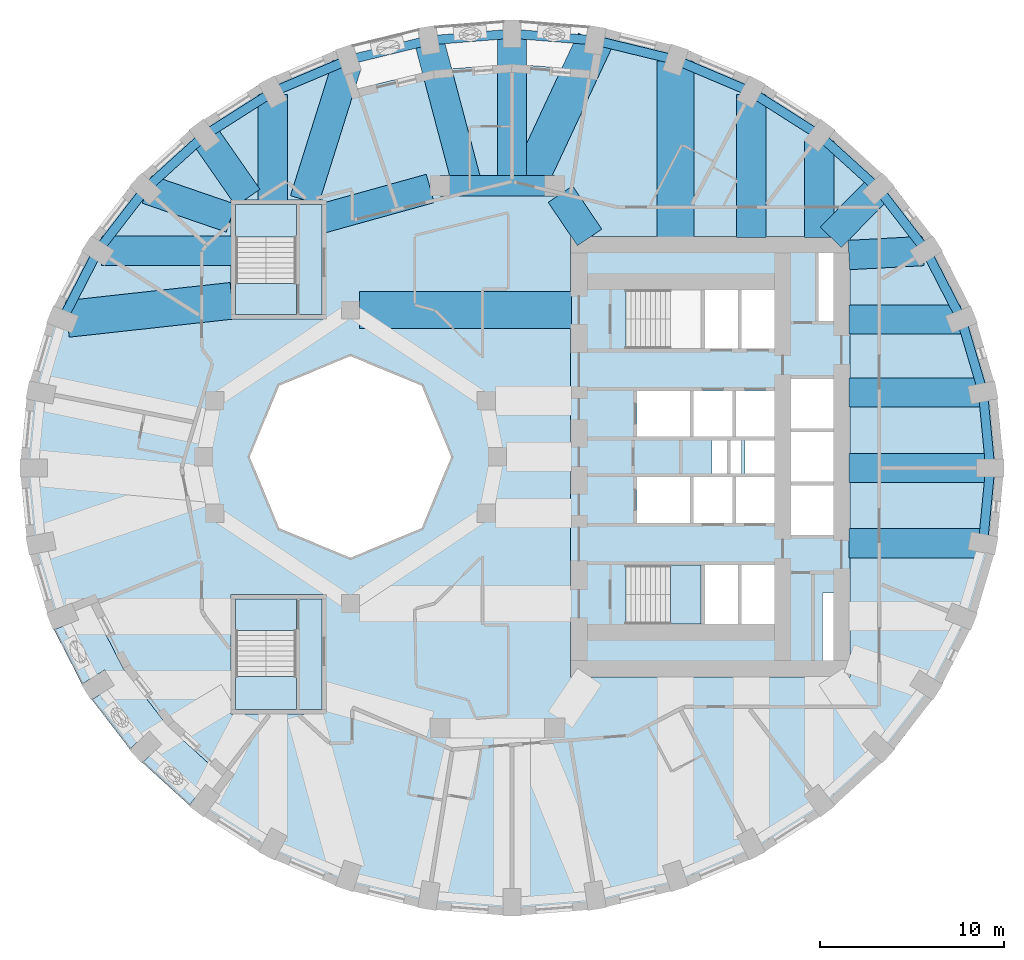
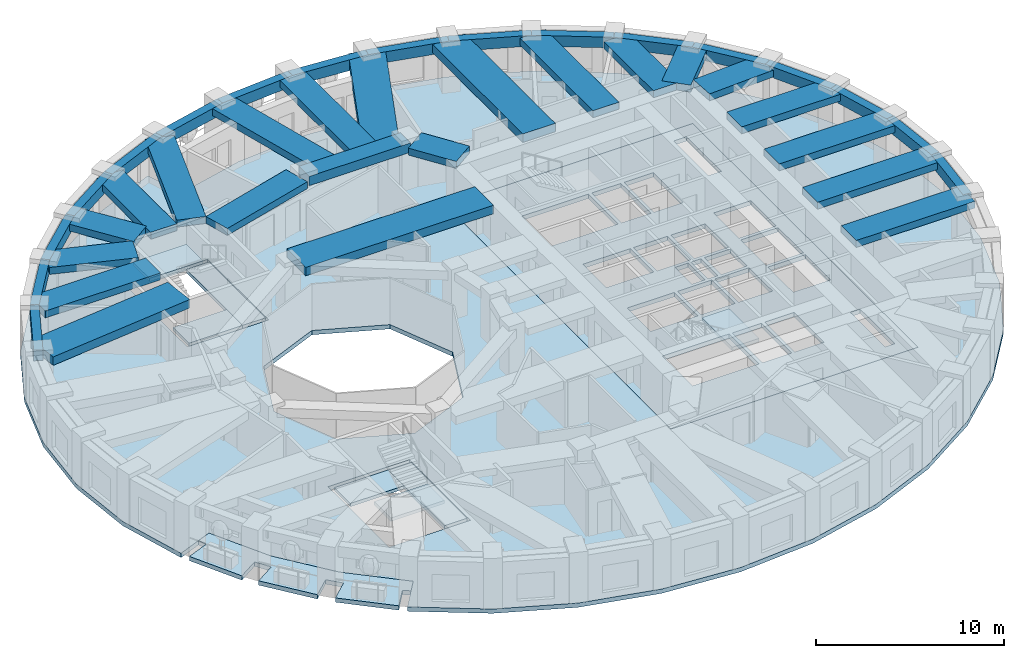
# One storey, part 2 of 12: 39 beams, 10 slabs, 3 elements without a shape of their own.
"""IFC4 building model written with IfcOpenShell, lengths in metres."""

import ifcopenshell
import ifcopenshell.guid

model = None  # the IFC model being written
_history = None  # IfcOwnerHistory: only IFC2X3 demands one
_inside = {}  # id of a spatial element -> (the spatial element, [elements in it])
_under = {}  # id of a project, library or spatial element -> (it, [spatial elements below it])
_declared = {}  # id of a project -> (the project, [libraries it declares])
_typed = {}  # id of a type object -> (the type object, [elements of that type])
_made_of = {}  # id of a material, layer set ... -> (it, [elements and type objects made of it])


def new_model(schema):
    """Start an empty IFC model of exactly this schema.

    Asked for "IFC4X3", IfcOpenShell would pick the latest addendum, in which some entities
    have other attributes; the version numbers below select the first issue.
    IFC2X3 requires an IfcOwnerHistory on every rooted entity: one is made here for all.
    """
    global model, _history
    if schema == "IFC4X3":
        model = ifcopenshell.file(schema_version=(4, 3, 0, 0))
    else:
        model = ifcopenshell.file(schema=schema)
    _inside.clear()
    _under.clear()
    _declared.clear()
    _typed.clear()
    _made_of.clear()
    _history = None
    if model.schema == "IFC2X3":
        org = make("IfcOrganization", Name="unknown")
        user = make(
            "IfcPersonAndOrganization",
            ThePerson=make("IfcPerson", FamilyName="unknown"),
            TheOrganization=org,
        )
        app = make(
            "IfcApplication",
            ApplicationDeveloper=org,
            Version="unknown",
            ApplicationFullName="unknown",
            ApplicationIdentifier="unknown",
        )
        _history = make(
            "IfcOwnerHistory",
            OwningUser=user,
            OwningApplication=app,
            ChangeAction="ADDED",
            CreationDate=0,
        )
    return model


def make(cls, **values):
    """One entity of the class cls with the attributes given. An attribute that is None is left unset."""
    return model.create_entity(
        cls, **{name: value for name, value in values.items() if value is not None}
    )


def rooted(cls, **values):
    """An entity with a GlobalId (a new one), such as an element, a storey or a relation."""
    return make(cls, GlobalId=ifcopenshell.guid.new(), OwnerHistory=_history, **values)


def si_unit(unit_type, name, prefix=None):
    """IfcSIUnit, for example si_unit("LENGTHUNIT", "METRE", prefix="MILLI")."""
    return make("IfcSIUnit", UnitType=unit_type, Prefix=prefix, Name=name)


def assignment(units):
    """IfcUnitAssignment: the units of a project."""
    return None if units is None else make("IfcUnitAssignment", Units=units)


def point(xyz):
    """IfcCartesianPoint."""
    return None if xyz is None else make("IfcCartesianPoint", Coordinates=xyz)


def direction(xyz):
    """IfcDirection."""
    return None if xyz is None else make("IfcDirection", DirectionRatios=xyz)


def frame(location, z_axis=None, x_axis=None):
    """IfcAxis2Placement3D, a coordinate frame: its origin and axes. An axis left out is left unset."""
    return make(
        "IfcAxis2Placement3D",
        Location=point(location),
        Axis=direction(z_axis),
        RefDirection=direction(x_axis),
    )


def frame_2d(location, x_axis=None):
    """IfcAxis2Placement2D, a coordinate frame in the plane: its origin and x axis."""
    return make(
        "IfcAxis2Placement2D", Location=point(location), RefDirection=direction(x_axis)
    )


def origin():
    """The frame at (0, 0, 0) with its axes left unset."""
    return frame((0.0, 0.0, 0.0))


def origin_2d():
    """The frame at (0, 0) in the plane with its x axis left unset."""
    return frame_2d((0.0, 0.0))


def place(relative_to, where):
    """IfcLocalPlacement: puts the frame where relative to a parent placement (None: the world)."""
    return make(
        "IfcLocalPlacement", PlacementRelTo=relative_to, RelativePlacement=where
    )


def context(
    kind, dimensions, precision=None, world=None, true_north=None, identifier=None
):
    """IfcGeometricRepresentationContext, for example the 3D "Model" context."""
    return make(
        "IfcGeometricRepresentationContext",
        ContextIdentifier=identifier,
        ContextType=kind,
        CoordinateSpaceDimension=dimensions,
        Precision=precision,
        WorldCoordinateSystem=world,
        TrueNorth=true_north,
    )


def subcontext(parent, identifier, kind, view, scale=None):
    """IfcGeometricRepresentationSubContext, for example "Body" below "Model"."""
    return make(
        "IfcGeometricRepresentationSubContext",
        ContextIdentifier=identifier,
        ContextType=kind,
        ParentContext=parent,
        TargetScale=scale,
        TargetView=view,
    )


def project(units=None, contexts=None):
    """IfcProject with its units and contexts."""
    return rooted(
        "IfcProject",
        Name="project",
        RepresentationContexts=contexts,
        UnitsInContext=assignment(units),
    )


def spatial(cls, under=None, at=None, **own):
    """A site, building, storey or space (cls), placed at a placement, below another one or the project."""
    s = rooted(cls, ObjectPlacement=at, **own)
    if under is not None:
        _under.setdefault(under.id(), (under, []))[1].append(s)
    return s


def polyline(points):
    """IfcPolyline through the points."""
    return make("IfcPolyline", Points=[point(p) for p in points])


def profile(cls, at=None, kind="AREA", **sizes):
    """A parametric profile (cls). Its sizes go by their IFC names, for example OverallWidth=200.0."""
    return make(cls, ProfileType=kind, Position=at, **sizes)


def rectangle(**sizes):
    """IfcRectangleProfileDef."""
    return profile("IfcRectangleProfileDef", **sizes)


def outline(outer, holes=None, kind="AREA"):
    """IfcArbitraryClosedProfileDef: a profile drawn as a closed curve; with holes, ...WithVoids."""
    if holes is None:
        return make("IfcArbitraryClosedProfileDef", ProfileType=kind, OuterCurve=outer)
    return make(
        "IfcArbitraryProfileDefWithVoids",
        ProfileType=kind,
        OuterCurve=outer,
        InnerCurves=holes,
    )


def extrude(swept, where, along, depth):
    """IfcExtrudedAreaSolid: the profile swept, set in the frame where, extruded along a direction by depth."""
    return make(
        "IfcExtrudedAreaSolid",
        SweptArea=swept,
        Position=where,
        ExtrudedDirection=direction(along),
        Depth=depth,
    )


def shape(context_of_items, identifier, shape_type, items):
    """IfcShapeRepresentation: the items that make up one representation, for example the "Body"."""
    return make(
        "IfcShapeRepresentation",
        ContextOfItems=context_of_items,
        RepresentationIdentifier=identifier,
        RepresentationType=shape_type,
        Items=items,
    )


def material(Name=None, Category=None):
    """IfcMaterial."""
    return make("IfcMaterial", Name=Name, Category=Category)


def layer(
    of_material, thickness, ventilated=None, Name=None, Category=None, Priority=None
):
    """IfcMaterialLayer: one layer of a wall or slab, of a material (None: an air gap)."""
    return make(
        "IfcMaterialLayer",
        Material=of_material,
        LayerThickness=thickness,
        IsVentilated=ventilated,
        Name=Name,
        Category=Category,
        Priority=Priority,
    )


def layer_set(layers, Name=None):
    """IfcMaterialLayerSet."""
    return make("IfcMaterialLayerSet", MaterialLayers=layers, LayerSetName=Name)


def material_profile(
    of_material, cross_section, Name=None, Category=None, Priority=None
):
    """IfcMaterialProfile: a cross section and its material."""
    return make(
        "IfcMaterialProfile",
        Name=Name,
        Material=of_material,
        Profile=cross_section,
        Priority=Priority,
        Category=Category,
    )


def profile_set(profiles, Name=None, composite=None):
    """IfcMaterialProfileSet."""
    return make(
        "IfcMaterialProfileSet",
        Name=Name,
        MaterialProfiles=profiles,
        CompositeProfile=composite,
    )


def made_of(thing, what):
    """Note that an element or type object is made of a material, layer set ...; save() writes the relation."""
    if what is not None:
        _made_of.setdefault(what.id(), (what, []))[1].append(thing)
    return thing


def type_object(cls, material=None, **own):
    """A type object (cls), such as IfcWallType, which elements share."""
    return made_of(rooted(cls, **own), material)


def element(
    cls,
    number,
    at=None,
    inside=None,
    cuts=None,
    type_object=None,
    material=None,
    context=None,
    identifier="Body",
    shape_type=None,
    held_by="IfcProductDefinitionShape",
    body=None,
    shapes=None,
    **own,
):
    """One element of the class cls, such as IfcWall. Its Tag is "e" and its number.

    at: its placement. inside: the storey or other place that contains it. cuts: it is an
    opening in that element (IfcRelVoidsElement). A single representation is given by context,
    identifier, shape_type and body (its items); several are given by shapes. held_by: the class
    of the entity that holds the representations. save() writes the other relations.
    """
    e = rooted(cls, Tag="e%d" % number, ObjectPlacement=at, **own)
    if body is not None:
        shapes = [shape(context, identifier, shape_type, body)]
    if shapes is not None:
        e.Representation = make(held_by, Representations=shapes)
    if inside is not None:
        _inside.setdefault(inside.id(), (inside, []))[1].append(e)
    if cuts is not None:
        rooted(
            "IfcRelVoidsElement", RelatingBuildingElement=cuts, RelatedOpeningElement=e
        )
    if type_object is not None:
        _typed.setdefault(type_object.id(), (type_object, []))[1].append(e)
    return made_of(e, material)


def aggregate(whole, parts):
    """IfcRelAggregates: a whole, such as a stair, and the parts it consists of."""
    return rooted("IfcRelAggregates", RelatingObject=whole, RelatedObjects=parts)


def save(model, path):
    """Write the relations noted so far, then the file.

    IfcRelAggregates (storeys below a building ...), IfcRelContainedInSpatialStructure (elements
    in a storey), IfcRelDefinesByType, IfcRelAssociatesMaterial and IfcRelDeclares: one each for
    every whole, place, type object, material and project.
    """
    for whole, parts in _under.values():
        aggregate(whole, parts)
    for where, things in _inside.values():
        rooted(
            "IfcRelContainedInSpatialStructure",
            RelatedElements=things,
            RelatingStructure=where,
        )
    for kind, things in _typed.values():
        rooted("IfcRelDefinesByType", RelatedObjects=things, RelatingType=kind)
    for what, things in _made_of.values():
        rooted("IfcRelAssociatesMaterial", RelatedObjects=things, RelatingMaterial=what)
    for by, libraries in _declared.values():
        rooted("IfcRelDeclares", RelatingContext=by, RelatedDefinitions=libraries)
    model.write(path)


model = new_model("IFC4")

# Units and contexts
model_context = context("Model", 3, precision=1e-05, world=origin(), true_north=direction((0.0, 1.0)))
body_context = subcontext(model_context, "Body", "Model", "MODEL_VIEW")
ifc_project = project(units=[si_unit("LENGTHUNIT", "METRE"), si_unit("AREAUNIT", "SQUARE_METRE"), si_unit("VOLUMEUNIT", "CUBIC_METRE"), si_unit("PLANEANGLEUNIT", "RADIAN"), si_unit("MASSUNIT", "GRAM", prefix="KILO")], contexts=[model_context])

# Site, building, storey
site_placement = place(None, origin())
site = spatial("IfcSite", under=ifc_project, at=site_placement, CompositionType="ELEMENT")
building_placement = place(site_placement, origin())
building = spatial("IfcBuilding", under=site, at=building_placement, Name="Taillehof Tower", CompositionType="ELEMENT")
storey_placement = place(building_placement, frame((0.0, 0.0, 88.89990234375)))
storey = spatial("IfcBuildingStorey", under=building, at=storey_placement, Name="L24", CompositionType="ELEMENT", Elevation=88.89990234375)

# Beams
ifc_material_1 = material(Name="Concrete C50/60", Category="concrete")
ifc_material_profile_1 = material_profile(ifc_material_1, rectangle(XDim=1.10009765625, YDim=0.60009765625, at=origin_2d()), Name="RC 1100x600")
ifc_profile_set_1 = profile_set([ifc_material_profile_1], Name="Concrete C50/60")
beam_type_1 = type_object("IfcBeamType", Name="Mid-ring beam C50/60 1100x600", PredefinedType="BEAM", material=ifc_profile_set_1)
beam_1_placement = place(storey_placement, frame((3.125732421875, 14.772216796875, 2.72021484375), z_axis=(-1.0, 0.0, 0.0), x_axis=(0.0, -1.0, 0.0)))
element("IfcBeam", 1, at=beam_1_placement, inside=storey, type_object=beam_type_1, Name="Mid-ring beam MB01", PredefinedType="BEAM", context=body_context, shape_type="SweptSolid", body=[
    extrude(rectangle(XDim=1.10009765625, YDim=0.60009765625, at=origin_2d()), origin(), (0.0, 0.0, 1.0), 6.25146484375),
])
ifc_material_2 = material(Name="Concrete C50/60", Category="concrete")
ifc_material_profile_2 = material_profile(ifc_material_2, rectangle(XDim=1.60009765625, YDim=0.449951171875, at=origin_2d()), Name="RC 1600x450")
ifc_profile_set_2 = profile_set([ifc_material_profile_2], Name="Concrete C50/60")
beam_type_2 = type_object("IfcBeamType", Name="Radial band beam C50/60 1600x450", PredefinedType="BEAM", material=ifc_profile_set_2)
beam_2_placement = place(storey_placement, frame((26.85009765625, -0.60009765625, 2.795166015625), z_axis=(-1.0, 0.0, 0.0), x_axis=(0.0, -1.0, 0.0)))
element("IfcBeam", 2, at=beam_2_placement, inside=storey, type_object=beam_type_2, Name="Radial band beam RB01", PredefinedType="BEAM", context=body_context, shape_type="SweptSolid", body=[
    extrude(rectangle(XDim=1.60009765625, YDim=0.449951171875, at=origin_2d()), origin(), (0.0, 0.0, 1.0), 7.7001953125),
])
beam_3_placement = place(storey_placement, frame((26.454345703125, 3.5068359375, 2.795166015625), z_axis=(-1.0, 0.0, 0.0), x_axis=(0.0, -1.0, 0.0)))
element("IfcBeam", 3, at=beam_3_placement, inside=storey, type_object=beam_type_2, Name="Radial band beam RB02", PredefinedType="BEAM", context=body_context, shape_type="SweptSolid", body=[
    extrude(rectangle(XDim=1.60009765625, YDim=0.449951171875, at=origin_2d()), origin(), (0.0, 0.0, 1.0), 7.304443359375),
])
beam_4_placement = place(storey_placement, frame((25.2275390625, 7.48876953125, 2.795166015625), z_axis=(-1.0, 0.0, 0.0), x_axis=(0.0, -1.0, 0.0)))
element("IfcBeam", 4, at=beam_4_placement, inside=storey, type_object=beam_type_2, Name="Radial band beam RB03", PredefinedType="BEAM", context=body_context, shape_type="SweptSolid", body=[
    extrude(rectangle(XDim=1.60009765625, YDim=0.449951171875, at=origin_2d()), origin(), (0.0, 0.0, 1.0), 6.07763671875),
])
beam_5_placement = place(storey_placement, frame((23.197021484375, 11.21630859375, 2.795166015625), z_axis=(-0.998539024739, -0.054035322466, 0.0), x_axis=(0.054035322466, -0.998539024739, 0.0)))
element("IfcBeam", 5, at=beam_5_placement, inside=storey, type_object=beam_type_2, Name="Radial band beam RB04", PredefinedType="BEAM", context=body_context, shape_type="SweptSolid", body=[
    extrude(rectangle(XDim=1.60009765625, YDim=0.449951171875, at=origin_2d()), origin(), (0.0, 0.0, 1.0), 4.052734375),
])
beam_6_placement = place(storey_placement, frame((20.75537109375, 14.60205078125, 2.795166015625), z_axis=(-0.700671998657, -0.713483531903, 0.0), x_axis=(0.713483531903, -0.700671998657, 0.0)))
element("IfcBeam", 6, at=beam_6_placement, inside=storey, type_object=beam_type_2, Name="Radial band beam RB05", PredefinedType="BEAM", context=body_context, shape_type="SweptSolid", body=[
    extrude(rectangle(XDim=1.60009765625, YDim=0.449951171875, at=origin_2d()), origin(), (0.0, 0.0, 1.0), 3.697021484375),
])
beam_7_placement = place(storey_placement, frame((17.544677734375, 17.2216796875, 2.795166015625), z_axis=(0.0, -1.0, 0.0), x_axis=(1.0, 0.0, 0.0)))
element("IfcBeam", 7, at=beam_7_placement, inside=storey, type_object=beam_type_2, Name="Radial band beam RB06", PredefinedType="BEAM", context=body_context, shape_type="SweptSolid", body=[
    extrude(rectangle(XDim=1.60009765625, YDim=0.449951171875, at=origin_2d()), origin(), (0.0, 0.0, 1.0), 5.271728515625),
])
beam_8_placement = place(storey_placement, frame((13.824951171875, 19.744384765625, 2.795166015625), z_axis=(0.0, -1.0, 0.0), x_axis=(1.0, 0.0, 0.0)))
element("IfcBeam", 8, at=beam_8_placement, inside=storey, type_object=beam_type_2, Name="Radial band beam RB07", PredefinedType="BEAM", context=body_context, shape_type="SweptSolid", body=[
    extrude(rectangle(XDim=1.60009765625, YDim=0.449951171875, at=origin_2d()), origin(), (0.0, 0.0, 1.0), 7.79443359375),
])
beam_9_placement = place(storey_placement, frame((0.800048828125, 23.050048828125, 2.795166015625), z_axis=(0.0, -1.0, 0.0), x_axis=(1.0, 0.0, 0.0)))
element("IfcBeam", 9, at=beam_9_placement, inside=storey, type_object=beam_type_2, Name="Radial band beam RB10", PredefinedType="BEAM", context=body_context, shape_type="SweptSolid", body=[
    extrude(rectangle(XDim=1.60009765625, YDim=0.449951171875, at=origin_2d()), origin(), (0.0, 0.0, 1.0), 8.27783203125),
])
beam_10_placement = place(storey_placement, frame((-3.7236328125, 22.690673828125, 2.795166015625), z_axis=(0.256102263642, -0.966649693817, 0.0), x_axis=(0.966649693817, 0.256102263642, 0.0)))
element("IfcBeam", 10, at=beam_10_placement, inside=storey, type_object=beam_type_2, Name="Radial band beam RB11", PredefinedType="BEAM", context=body_context, shape_type="SweptSolid", body=[
    extrude(rectangle(XDim=1.60009765625, YDim=0.449951171875, at=origin_2d()), origin(), (0.0, 0.0, 1.0), 8.191650390625),
])
beam_11_placement = place(storey_placement, frame((-8.189453125, 21.369140625, 2.795166015625), z_axis=(-0.299184997435, -0.954195125386, 0.0), x_axis=(0.954195125386, -0.299184997435, 0.0)))
element("IfcBeam", 11, at=beam_11_placement, inside=storey, type_object=beam_type_2, Name="Radial band beam RB12", PredefinedType="BEAM", context=body_context, shape_type="SweptSolid", body=[
    extrude(rectangle(XDim=1.60009765625, YDim=0.449951171875, at=origin_2d()), origin(), (0.0, 0.0, 1.0), 7.728515625),
])
beam_12_placement = place(storey_placement, frame((-12.22509765625, 19.744384765625, 2.795166015625), z_axis=(0.0, -1.0, 0.0), x_axis=(1.0, 0.0, 0.0)))
element("IfcBeam", 12, at=beam_12_placement, inside=storey, type_object=beam_type_2, Name="Radial band beam RB13", PredefinedType="BEAM", context=body_context, shape_type="SweptSolid", body=[
    extrude(rectangle(XDim=1.60009765625, YDim=0.449951171875, at=origin_2d()), origin(), (0.0, 0.0, 1.0), 5.79443359375),
])
beam_13_placement = place(storey_placement, frame((-15.944580078125, 17.516845703125, 2.795166015625), z_axis=(0.570763290366, -0.821114648737, 0.0), x_axis=(0.821114648737, 0.570763290366, 0.0)))
element("IfcBeam", 13, at=beam_13_placement, inside=storey, type_object=beam_type_2, Name="Radial band beam RB14", PredefinedType="BEAM", context=body_context, shape_type="SweptSolid", body=[
    extrude(rectangle(XDim=1.60009765625, YDim=0.449951171875, at=origin_2d()), origin(), (0.0, 0.0, 1.0), 4.1328125),
])
beam_14_placement = place(storey_placement, frame((-19.080810546875, 14.576171875, 2.795166015625), z_axis=(0.945583195076, -0.325380425334, 0.0), x_axis=(0.325380425334, 0.945583195076, 0.0)))
element("IfcBeam", 14, at=beam_14_placement, inside=storey, type_object=beam_type_2, Name="Radial band beam RB15", PredefinedType="BEAM", context=body_context, shape_type="SweptSolid", body=[
    extrude(rectangle(XDim=1.60009765625, YDim=0.449951171875, at=origin_2d()), origin(), (0.0, 0.0, 1.0), 4.83349609375),
])
beam_15_placement = place(storey_placement, frame((-21.54736328125, 11.22509765625, 2.795166015625), z_axis=(1.0, 0.0, 0.0), x_axis=(0.0, 1.0, 0.0)))
element("IfcBeam", 15, at=beam_15_placement, inside=storey, type_object=beam_type_2, Name="Radial band beam RB16", PredefinedType="BEAM", context=body_context, shape_type="SweptSolid", body=[
    extrude(rectangle(XDim=1.60009765625, YDim=0.449951171875, at=origin_2d()), origin(), (0.0, 0.0, 1.0), 7.097412109375),
])
beam_16_placement = place(storey_placement, frame((26.454345703125, -4.706787109375, 2.795166015625), z_axis=(-1.0, 0.0, 0.0), x_axis=(0.0, -1.0, 0.0)))
element("IfcBeam", 16, at=beam_16_placement, inside=storey, type_object=beam_type_2, Name="Radial band beam RB36", PredefinedType="BEAM", context=body_context, shape_type="SweptSolid", body=[
    extrude(rectangle(XDim=1.60009765625, YDim=0.449951171875, at=origin_2d()), origin(), (0.0, 0.0, 1.0), 7.304443359375),
])
beam_17_placement = place(storey_placement, frame((3.433837890625, 14.31640625, 2.795166015625), z_axis=(0.560112043398, -0.828416862962, 0.0), x_axis=(0.828416862962, 0.560112043398, 0.0)))
element("IfcBeam", 17, at=beam_17_placement, inside=storey, type_object=beam_type_2, Name="Inner band beam IB205", PredefinedType="BEAM", context=body_context, shape_type="SweptSolid", body=[
    extrude(rectangle(XDim=1.60009765625, YDim=0.449951171875, at=origin_2d()), origin(), (0.0, 0.0, 1.0), 2.84619140625),
])
beam_18_placement = place(storey_placement, frame((-3.655517578125, 14.624755859375, 2.795166015625), z_axis=(-0.963459369536, -0.267854518821, 0.0), x_axis=(0.267854518821, -0.963459369536, 0.0)))
element("IfcBeam", 18, at=beam_18_placement, inside=storey, type_object=beam_type_2, Name="Inner band beam IB206", PredefinedType="BEAM", context=body_context, shape_type="SweptSolid", body=[
    extrude(rectangle(XDim=1.60009765625, YDim=0.449951171875, at=origin_2d()), origin(), (0.0, 0.0, 1.0), 6.096923828125),
])
ifc_material_3 = material(Name="Concrete C50/60", Category="concrete")
ifc_material_profile_3 = material_profile(ifc_material_3, rectangle(XDim=2.0, YDim=0.550048828125, at=origin_2d()), Name="RC 2000x550")
ifc_profile_set_3 = profile_set([ifc_material_profile_3], Name="Concrete C50/60")
beam_type_3 = type_object("IfcBeamType", Name="Radial band beam C50/60 2000x550", PredefinedType="BEAM", material=ifc_profile_set_3)
beam_19_placement = place(storey_placement, frame((9.709716796875, 21.556640625, 2.7451171875), z_axis=(0.0, -1.0, 0.0), x_axis=(1.0, 0.0, 0.0)))
element("IfcBeam", 19, at=beam_19_placement, inside=storey, type_object=beam_type_3, Name="Radial band beam RB08", PredefinedType="BEAM", context=body_context, shape_type="SweptSolid", body=[
    extrude(rectangle(XDim=2.0, YDim=0.550048828125, at=origin_2d()), origin(), (0.0, 0.0, 1.0), 9.606689453125),
])
beam_20_placement = place(storey_placement, frame((5.312744140625, 22.66748046875, 2.7451171875), z_axis=(-0.423126261145, -0.90607072965, 0.0), x_axis=(0.90607072965, -0.423126261145, 0.0)))
element("IfcBeam", 20, at=beam_20_placement, inside=storey, type_object=beam_type_3, Name="Radial band beam RB09", PredefinedType="BEAM", context=body_context, shape_type="SweptSolid", body=[
    extrude(rectangle(XDim=2.0, YDim=0.550048828125, at=origin_2d()), origin(), (0.0, 0.0, 1.0), 8.713623046875),
])
beam_21_placement = place(storey_placement, frame((-23.42919921875, 7.516357421875, 2.7451171875), z_axis=(0.993988424713, 0.109485211499, 0.0), x_axis=(-0.109485211499, 0.993988424713, 0.0)))
element("IfcBeam", 21, at=beam_21_placement, inside=storey, type_object=beam_type_3, Name="Radial band beam RB17", PredefinedType="BEAM", context=body_context, shape_type="SweptSolid", body=[
    extrude(rectangle(XDim=2.0, YDim=0.550048828125, at=origin_2d()), origin(), (0.0, 0.0, 1.0), 9.033203125),
])
beam_22_placement = place(storey_placement, frame((-7.5, 8.0, 2.7451171875), z_axis=(1.0, 0.0, 0.0), x_axis=(0.0, 1.0, 0.0)))
element("IfcBeam", 22, at=beam_22_placement, inside=storey, type_object=beam_type_3, Name="Inner band beam IB105", PredefinedType="BEAM", context=body_context, shape_type="SweptSolid", body=[
    extrude(rectangle(XDim=2.0, YDim=0.550048828125, at=origin_2d()), origin(), (0.0, 0.0, 1.0), 11.550048828125),
])
ifc_material_4 = material(Name="Concrete C50/60", Category="concrete")
ifc_material_profile_4 = material_profile(ifc_material_4, rectangle(XDim=0.5, YDim=0.699951171875, at=origin_2d()), Name="RC 500x700")
ifc_profile_set_4 = profile_set([ifc_material_profile_4], Name="Concrete C50/60")
beam_type_4 = type_object("IfcBeamType", Name="Spandrel beam C50/60 500x700", PredefinedType="SPANDREL", material=ifc_profile_set_4)
beam_23_placement = place(storey_placement, frame((26.85009765625, -0.60009765625, 2.670166015625), z_axis=(-0.095917608943, 0.995389276763, 0.0), x_axis=(-0.995389276763, -0.095917608943, 0.0)))
element("IfcBeam", 23, at=beam_23_placement, inside=storey, type_object=beam_type_4, Name="Spandrel beam SB01", PredefinedType="SPANDREL", context=body_context, shape_type="SweptSolid", body=[
    extrude(rectangle(XDim=0.5, YDim=0.699951171875, at=origin_2d()), origin(), (0.0, 0.0, 1.0), 4.1259765625),
])
beam_24_placement = place(storey_placement, frame((26.454345703125, 3.5068359375, 2.670166015625), z_axis=(-0.28308309012, 0.95909538842, 0.0), x_axis=(-0.95909538842, -0.28308309012, 0.0)))
element("IfcBeam", 24, at=beam_24_placement, inside=storey, type_object=beam_type_4, Name="Spandrel beam SB02", PredefinedType="SPANDREL", context=body_context, shape_type="SweptSolid", body=[
    extrude(rectangle(XDim=0.5, YDim=0.699951171875, at=origin_2d()), origin(), (0.0, 0.0, 1.0), 4.15185546875),
])
beam_25_placement = place(storey_placement, frame((25.279052734375, 7.48876953125, 2.670166015625), z_axis=(-0.456905372708, 0.88951530644, 0.0), x_axis=(-0.88951530644, -0.456905372708, 0.0)))
element("IfcBeam", 25, at=beam_25_placement, inside=storey, type_object=beam_type_4, Name="Spandrel beam SB03", PredefinedType="SPANDREL", context=body_context, shape_type="SweptSolid", body=[
    extrude(rectangle(XDim=0.5, YDim=0.699951171875, at=origin_2d()), origin(), (0.0, 0.0, 1.0), 4.200439453125),
])
beam_26_placement = place(storey_placement, frame((23.35986328125, 11.22509765625, 2.670166015625), z_axis=(-0.61071731561, 0.79184869793, 0.0), x_axis=(-0.79184869793, -0.61071731561, 0.0)))
element("IfcBeam", 26, at=beam_26_placement, inside=storey, type_object=beam_type_4, Name="Spandrel beam SB04", PredefinedType="SPANDREL", context=body_context, shape_type="SweptSolid", body=[
    extrude(rectangle(XDim=0.5, YDim=0.699951171875, at=origin_2d()), origin(), (0.0, 0.0, 1.0), 4.2646484375),
])
beam_27_placement = place(storey_placement, frame((20.75537109375, 14.60205078125, 2.670166015625), z_axis=(-0.740400998917, 0.672165426665, 0.0), x_axis=(-0.672165426665, -0.740400998917, 0.0)))
element("IfcBeam", 27, at=beam_27_placement, inside=storey, type_object=beam_type_4, Name="Spandrel beam SB05", PredefinedType="SPANDREL", context=body_context, shape_type="SweptSolid", body=[
    extrude(rectangle(XDim=0.5, YDim=0.699951171875, at=origin_2d()), origin(), (0.0, 0.0, 1.0), 4.33642578125),
])
beam_28_placement = place(storey_placement, frame((17.544677734375, 17.516845703125, 2.670166015625), z_axis=(-0.843903157847, 0.536495536027, 0.0), x_axis=(-0.536495536027, -0.843903157847, 0.0)))
element("IfcBeam", 28, at=beam_28_placement, inside=storey, type_object=beam_type_4, Name="Spandrel beam SB06", PredefinedType="SPANDREL", context=body_context, shape_type="SweptSolid", body=[
    extrude(rectangle(XDim=0.5, YDim=0.699951171875, at=origin_2d()), origin(), (0.0, 0.0, 1.0), 4.40771484375),
])
beam_29_placement = place(storey_placement, frame((13.824951171875, 19.881591796875, 2.670166015625), z_axis=(-0.920876744153, 0.389853847074, 0.0), x_axis=(-0.389853847074, -0.920876744153, 0.0)))
element("IfcBeam", 29, at=beam_29_placement, inside=storey, type_object=beam_type_4, Name="Spandrel beam SB07", PredefinedType="SPANDREL", context=body_context, shape_type="SweptSolid", body=[
    extrude(rectangle(XDim=0.5, YDim=0.699951171875, at=origin_2d()), origin(), (0.0, 0.0, 1.0), 4.46875),
])
beam_30_placement = place(storey_placement, frame((9.709716796875, 21.623779296875, 2.670166015625), z_axis=(-0.971668945916, 0.23634605887, 0.0), x_axis=(-0.23634605887, -0.971668945916, 0.0)))
element("IfcBeam", 30, at=beam_30_placement, inside=storey, type_object=beam_type_4, Name="Spandrel beam SB08", PredefinedType="SPANDREL", context=body_context, shape_type="SweptSolid", body=[
    extrude(rectangle(XDim=0.5, YDim=0.699951171875, at=origin_2d()), origin(), (0.0, 0.0, 1.0), 4.51416015625),
])
beam_31_placement = place(storey_placement, frame((5.323486328125, 22.690673828125, 2.670166015625), z_axis=(-0.996858923208, 0.079197772828, 0.0), x_axis=(-0.079197772828, -0.996858923208, 0.0)))
element("IfcBeam", 31, at=beam_31_placement, inside=storey, type_object=beam_type_4, Name="Spandrel beam SB09", PredefinedType="SPANDREL", context=body_context, shape_type="SweptSolid", body=[
    extrude(rectangle(XDim=0.5, YDim=0.699951171875, at=origin_2d()), origin(), (0.0, 0.0, 1.0), 4.53759765625),
])
beam_32_placement = place(storey_placement, frame((0.800048828125, 23.050048828125, 2.670166015625), z_axis=(-0.996859260648, -0.079193525375, 0.0), x_axis=(0.079193525375, -0.996859260648, 0.0)))
element("IfcBeam", 32, at=beam_32_placement, inside=storey, type_object=beam_type_4, Name="Spandrel beam SB10", PredefinedType="SPANDREL", context=body_context, shape_type="SweptSolid", body=[
    extrude(rectangle(XDim=0.5, YDim=0.699951171875, at=origin_2d()), origin(), (0.0, 0.0, 1.0), 4.537841796875),
])
beam_33_placement = place(storey_placement, frame((-3.7236328125, 22.690673828125, 2.670166015625), z_axis=(-0.971665924588, -0.236358479847, 0.0), x_axis=(0.236358479847, -0.971665924588, 0.0)))
element("IfcBeam", 33, at=beam_33_placement, inside=storey, type_object=beam_type_4, Name="Spandrel beam SB11", PredefinedType="SPANDREL", context=body_context, shape_type="SweptSolid", body=[
    extrude(rectangle(XDim=0.5, YDim=0.699951171875, at=origin_2d()), origin(), (0.0, 0.0, 1.0), 4.513916015625),
])
beam_34_placement = place(storey_placement, frame((-8.109619140625, 21.623779296875, 2.670166015625), z_axis=(-0.920885046825, -0.389834234688, 0.0), x_axis=(0.389834234688, -0.920885046825, 0.0)))
element("IfcBeam", 34, at=beam_34_placement, inside=storey, type_object=beam_type_4, Name="Spandrel beam SB12", PredefinedType="SPANDREL", context=body_context, shape_type="SweptSolid", body=[
    extrude(rectangle(XDim=0.5, YDim=0.699951171875, at=origin_2d()), origin(), (0.0, 0.0, 1.0), 4.468994140625),
])
beam_35_placement = place(storey_placement, frame((-12.22509765625, 19.881591796875, 2.670166015625), z_axis=(-0.843887214322, -0.536520614239, 0.0), x_axis=(0.536520614239, -0.843887214322, 0.0)))
element("IfcBeam", 35, at=beam_35_placement, inside=storey, type_object=beam_type_4, Name="Spandrel beam SB13", PredefinedType="SPANDREL", context=body_context, shape_type="SweptSolid", body=[
    extrude(rectangle(XDim=0.5, YDim=0.699951171875, at=origin_2d()), origin(), (0.0, 0.0, 1.0), 4.407470703125),
])
beam_36_placement = place(storey_placement, frame((-15.944580078125, 17.516845703125, 2.670166015625), z_axis=(-0.740426434014, -0.672137408432, 0.0), x_axis=(0.672137408432, -0.740426434014, 0.0)))
element("IfcBeam", 36, at=beam_36_placement, inside=storey, type_object=beam_type_4, Name="Spandrel beam SB14", PredefinedType="SPANDREL", context=body_context, shape_type="SweptSolid", body=[
    extrude(rectangle(XDim=0.5, YDim=0.699951171875, at=origin_2d()), origin(), (0.0, 0.0, 1.0), 4.336669921875),
])
beam_37_placement = place(storey_placement, frame((-19.155517578125, 14.60205078125, 2.670166015625), z_axis=(-0.61071731561, -0.79184869793, 0.0), x_axis=(0.79184869793, -0.61071731561, 0.0)))
element("IfcBeam", 37, at=beam_37_placement, inside=storey, type_object=beam_type_4, Name="Spandrel beam SB15", PredefinedType="SPANDREL", context=body_context, shape_type="SweptSolid", body=[
    extrude(rectangle(XDim=0.5, YDim=0.699951171875, at=origin_2d()), origin(), (0.0, 0.0, 1.0), 4.2646484375),
])
beam_38_placement = place(storey_placement, frame((-21.760009765625, 11.22509765625, 2.670166015625), z_axis=(-0.456859381733, -0.889538928503, 0.0), x_axis=(0.889538928503, -0.456859381733, 0.0)))
element("IfcBeam", 38, at=beam_38_placement, inside=storey, type_object=beam_type_4, Name="Spandrel beam SB16", PredefinedType="SPANDREL", context=body_context, shape_type="SweptSolid", body=[
    extrude(rectangle(XDim=0.5, YDim=0.699951171875, at=origin_2d()), origin(), (0.0, 0.0, 1.0), 4.2001953125),
])
beam_39_placement = place(storey_placement, frame((26.454345703125, -4.706787109375, 2.670166015625), z_axis=(0.09592325873, 0.995388732323, 0.0), x_axis=(-0.995388732323, 0.09592325873, 0.0)))
element("IfcBeam", 39, at=beam_39_placement, inside=storey, type_object=beam_type_4, Name="Spandrel beam SB36", PredefinedType="SPANDREL", context=body_context, shape_type="SweptSolid", body=[
    extrude(rectangle(XDim=0.5, YDim=0.699951171875, at=origin_2d()), origin(), (0.0, 0.0, 1.0), 4.125732421875),
])

# Slabs
ifc_material_5 = material(Name="Concrete C40/50", Category="concrete")
ifc_layer_1 = layer(ifc_material_5, 0.280029296875)
ifc_layer_set_1 = layer_set([ifc_layer_1], Name="Balcony slab 280")
slab_type_1 = type_object("IfcSlabType", Name="Balcony slab 280", PredefinedType="USERDEFINED", material=ifc_layer_set_1)
slab_1_placement = place(storey_placement, frame((0.0, 0.0, -0.27978515625)))
element("IfcSlab", 40, at=slab_1_placement, inside=storey, type_object=slab_type_1, Name="Balcony L24 pocket 6", ObjectType="BALCONY", PredefinedType="USERDEFINED", context=body_context, shape_type="SweptSolid", body=[
    extrude(outline(polyline([(-14.9697265625, -17.38427734375), (-15.5166015625, -18.10009765625), (-15.88671875, -17.8173828125), (-16.7724609375, -18.976806640625), (-19.3330078125, -16.6455078125), (-18.26513671875, -15.661376953125), (-18.94287109375, -14.926025390625), (-20.0146484375, -15.913818359375), (-22.084228515625, -13.22265625), (-20.85888671875, -12.445556640625), (-21.394287109375, -11.60107421875), (-22.6240234375, -12.380859375), (-24.14404296875, -9.4130859375), (-22.796875, -8.874755859375), (-22.9912109375, -8.388671875), (-22.1552734375, -8.054443359375), (-20.382568359375, -11.5146484375), (-17.965087890625, -14.657470703125), (-14.9697265625, -17.38427734375)])), origin(), (0.0, 0.0, 1.0), 0.27978515625),
])
ifc_material_6 = material(Name="Concrete C40/50", Category="concrete")
ifc_layer_2 = layer(ifc_material_6, 0.280029296875)
ifc_layer_set_2 = layer_set([ifc_layer_2], Name="Core floor slab C40/50 280")
slab_type_2 = type_object("IfcSlabType", Name="Core floor slab C40/50 280", PredefinedType="FLOOR", material=ifc_layer_set_2)
slab_2_placement = place(storey_placement, frame((0.0, 0.0, -0.27978515625)))
element("IfcSlab", 41, at=slab_2_placement, inside=storey, type_object=slab_type_2, Name="Core floor L24", PredefinedType="FLOOR", context=body_context, shape_type="SweptSolid", body=[
    extrude(outline(polyline([(4.0, -12.0), (4.0, 12.0), (19.199951171875, 12.0), (19.199951171875, -12.0), (4.0, -12.0)]), holes=[polyline([(7.00048828125, -9.10009765625), (11.10009765625, -9.10009765625), (11.10009765625, -5.89990234375), (7.00048828125, -5.89990234375), (7.00048828125, -9.10009765625)]), polyline([(13.10009765625, -9.10009765625), (13.10009765625, -5.89990234375), (11.300048828125, -5.89990234375), (11.300048828125, -9.10009765625), (13.10009765625, -9.10009765625)]), polyline([(10.5, -3.60009765625), (10.5, -1.10009765625), (7.60009765625, -1.10009765625), (7.60009765625, -3.60009765625), (10.5, -3.60009765625)]), polyline([(10.699951171875, -3.60009765625), (12.800048828125, -3.60009765625), (12.800048828125, -1.10009765625), (10.699951171875, -1.10009765625), (10.699951171875, -3.60009765625)]), polyline([(11.699951171875, -0.89990234375), (12.5, -0.89990234375), (12.5, 0.89990234375), (11.699951171875, 0.89990234375), (11.699951171875, -0.89990234375)]), polyline([(13.300048828125, -0.89990234375), (13.300048828125, 0.89990234375), (12.699951171875, 0.89990234375), (12.699951171875, -0.89990234375), (13.300048828125, -0.89990234375)]), polyline([(10.5, 1.10009765625), (10.5, 3.60009765625), (7.60009765625, 3.60009765625), (7.60009765625, 1.10009765625), (10.5, 1.10009765625)]), polyline([(12.800048828125, 1.10009765625), (12.800048828125, 3.60009765625), (10.699951171875, 3.60009765625), (10.699951171875, 1.10009765625), (12.800048828125, 1.10009765625)]), polyline([(11.300048828125, 5.89990234375), (13.10009765625, 5.89990234375), (13.10009765625, 9.10009765625), (11.300048828125, 9.10009765625), (11.300048828125, 5.89990234375)]), polyline([(7.00048828125, 5.89990234375), (11.10009765625, 5.89990234375), (11.10009765625, 9.10009765625), (7.00048828125, 9.10009765625), (7.00048828125, 5.89990234375)]), polyline([(18.300048828125, -11.10009765625), (18.300048828125, -7.39990234375), (17.699951171875, -7.39990234375), (17.699951171875, -11.10009765625), (18.300048828125, -11.10009765625)]), polyline([(15.10009765625, -9.10009765625), (15.10009765625, -5.89990234375), (13.300048828125, -5.89990234375), (13.300048828125, -9.10009765625), (15.10009765625, -9.10009765625)]), polyline([(18.300048828125, -4.25), (18.300048828125, -1.550048828125), (16.0, -1.550048828125), (16.0, -4.25), (18.300048828125, -4.25)]), polyline([(13.0, -3.60009765625), (15.10009765625, -3.60009765625), (15.10009765625, -1.10009765625), (13.0, -1.10009765625), (13.0, -3.60009765625)]), polyline([(13.5, -0.89990234375), (15.10009765625, -0.89990234375), (15.10009765625, 0.89990234375), (13.5, 0.89990234375), (13.5, -0.89990234375)]), polyline([(18.300048828125, -1.35009765625), (18.300048828125, 1.35009765625), (16.0, 1.35009765625), (16.0, -1.35009765625), (18.300048828125, -1.35009765625)]), polyline([(15.10009765625, 1.10009765625), (15.10009765625, 3.60009765625), (13.0, 3.60009765625), (13.0, 1.10009765625), (15.10009765625, 1.10009765625)]), polyline([(18.300048828125, 1.550048828125), (18.300048828125, 4.25), (16.0, 4.25), (16.0, 1.550048828125), (18.300048828125, 1.550048828125)]), polyline([(13.300048828125, 5.89990234375), (15.10009765625, 5.89990234375), (15.10009765625, 9.10009765625), (13.300048828125, 9.10009765625), (13.300048828125, 5.89990234375)]), polyline([(17.5, 7.39990234375), (18.300048828125, 7.39990234375), (18.300048828125, 11.10009765625), (17.5, 11.10009765625), (17.5, 7.39990234375)])]), origin(), (0.0, 0.0, 1.0), 0.27978515625),
])
ifc_material_7 = material(Name="Concrete C40/50", Category="concrete")
ifc_layer_3 = layer(ifc_material_7, 0.280029296875)
ifc_layer_set_3 = layer_set([ifc_layer_3], Name="Floor slab 280")
slab_type_3 = type_object("IfcSlabType", Name="Floor slab 280", PredefinedType="FLOOR", material=ifc_layer_set_3)
slab_3_placement = place(storey_placement, frame((0.0, 0.0, -0.27978515625)))
element("IfcSlab", 42, at=slab_3_placement, inside=storey, type_object=slab_type_3, Name="Floor slab L24", PredefinedType="FLOOR", context=body_context, shape_type="SweptSolid", body=[
    extrude(outline(polyline([(27.60009765625, -0.60009765625), (27.19287109375, 3.636962890625), (25.98388671875, 7.745361328125), (24.009521484375, 11.60009765625), (21.330078125, 15.083984375), (18.026611328125, 18.091552734375), (14.199951171875, 20.531005859375), (9.966064453125, 22.32861328125), (5.453857421875, 23.42919921875), (5.073486328125, 21.059814453125), (0.800048828125, 21.39990234375), (-3.473388671875, 21.059814453125), (-7.611083984375, 20.05029296875), (-8.3662109375, 22.32861328125), (-12.60009765625, 20.531005859375), (-16.4267578125, 18.091552734375), (-19.72998046875, 15.083984375), (-22.409423828125, 11.60009765625), (-24.3837890625, 7.745361328125), (-25.5927734375, 3.636962890625), (-26.0, -0.60009765625), (-25.5927734375, -4.8369140625), (-24.3837890625, -8.9453125), (-22.1552734375, -8.054443359375), (-20.3828125, -11.5146484375), (-17.965087890625, -14.657470703125), (-14.9697265625, -17.38427734375), (-16.4267578125, -19.29150390625), (-12.60009765625, -21.73095703125), (-8.3662109375, -23.528564453125), (-3.853759765625, -24.62939453125), (0.800048828125, -25.0), (5.453857421875, -24.62939453125), (9.966064453125, -23.528564453125), (14.199951171875, -21.73095703125), (18.026611328125, -19.29150390625), (21.330078125, -16.283935546875), (24.009521484375, -12.800048828125), (25.98388671875, -8.9453125), (27.19287109375, -4.8369140625), (27.60009765625, -0.60009765625)]), holes=[polyline([(-14.5, -7.5), (-9.5, -7.5), (-9.5, -14.0), (-14.5, -14.0), (-14.5, -7.5)]), polyline([(-8.0, -5.5), (-11.88916015625, -3.88916015625), (-13.5, 0.0), (-11.88916015625, 3.88916015625), (-8.0, 5.5), (-4.11083984375, 3.88916015625), (-2.5, 0.0), (-4.11083984375, -3.88916015625), (-8.0, -5.5)]), polyline([(19.199951171875, 12.0), (19.199951171875, -12.0), (4.0, -12.0), (4.0, 12.0), (19.199951171875, 12.0)]), polyline([(-14.5, 14.0), (-9.5, 14.0), (-9.5, 7.5), (-14.5, 7.5), (-14.5, 14.0)])]), origin(), (0.0, 0.0, 1.0), 0.27978515625),
])

# Stair, slab
ifc_material_8 = material(Name="Concrete C40/50", Category="concrete")
stair_type = type_object("IfcStairType", Name="Exit stair half-turn", PredefinedType="HALF_TURN_STAIR", material=ifc_material_8)
stair_1_placement = place(storey_placement, origin())
stair_1 = element("IfcStair", 43, at=stair_1_placement, inside=storey, type_object=stair_type, Name="Exit stair S2", PredefinedType="HALF_TURN_STAIR")
ifc_material_9 = material(Name="Concrete C40/50", Category="concrete")
ifc_layer_4 = layer(ifc_material_9, 0.2099609375)
ifc_layer_set_4 = layer_set([ifc_layer_4], Name="Stair landing C40/50 210")
slab_type_4 = type_object("IfcSlabType", Name="Stair landing C40/50 210", PredefinedType="LANDING", material=ifc_layer_set_4)
slab_4_placement = place(storey_placement, frame((0.0, 0.0, 1.440185546875)))
slab_4 = element("IfcSlab", 44, at=slab_4_placement, type_object=slab_type_4, Name="S2 landing 1", PredefinedType="LANDING", context=body_context, shape_type="SweptSolid", body=[
    extrude(outline(polyline([(9.429931640625, -5.89990234375), (11.10009765625, -5.89990234375), (11.10009765625, -9.10009765625), (9.429931640625, -9.10009765625), (9.429931640625, -5.89990234375)])), origin(), (0.0, 0.0, 1.0), 0.2099609375),
])
aggregate(stair_1, [slab_4])

stair_2_placement = place(storey_placement, origin())
stair_2 = element("IfcStair", 45, at=stair_2_placement, inside=storey, type_object=stair_type, Name="Exit stair S3", PredefinedType="HALF_TURN_STAIR")
slab_5_placement = place(storey_placement, frame((0.0, 0.0, 1.440185546875)))
slab_5 = element("IfcSlab", 46, at=slab_5_placement, type_object=slab_type_4, Name="S3 landing 1", PredefinedType="LANDING", context=body_context, shape_type="SweptSolid", body=[
    extrude(outline(polyline([(-14.25, 11.969970703125), (-14.25, 13.75), (-10.949951171875, 13.75), (-10.949951171875, 11.969970703125), (-14.25, 11.969970703125)])), origin(), (0.0, 0.0, 1.0), 0.2099609375),
])
aggregate(stair_2, [slab_5])

stair_3_placement = place(storey_placement, origin())
stair_3 = element("IfcStair", 47, at=stair_3_placement, inside=storey, type_object=stair_type, Name="Exit stair S4", PredefinedType="HALF_TURN_STAIR")
slab_6_placement = place(storey_placement, frame((0.0, 0.0, 1.440185546875)))
slab_6 = element("IfcSlab", 48, at=slab_6_placement, type_object=slab_type_4, Name="S4 landing 1", PredefinedType="LANDING", context=body_context, shape_type="SweptSolid", body=[
    extrude(outline(polyline([(-14.25, -11.969970703125), (-14.25, -13.75), (-10.949951171875, -13.75), (-10.949951171875, -11.969970703125), (-14.25, -11.969970703125)])), origin(), (0.0, 0.0, 1.0), 0.2099609375),
])
aggregate(stair_3, [slab_6])

# Slabs
slab_7_placement = place(storey_placement, frame((0.0, 0.0, -0.2099609375)))
element("IfcSlab", 49, at=slab_7_placement, inside=storey, type_object=slab_type_4, Name="Stair S3 floor landing", PredefinedType="LANDING", context=body_context, shape_type="SweptSolid", body=[
    extrude(outline(polyline([(-14.25, 7.75), (-14.25, 9.449951171875), (-10.949951171875, 9.449951171875), (-10.949951171875, 7.75), (-14.25, 7.75)])), origin(), (0.0, 0.0, 1.0), 0.2099609375),
])
slab_8_placement = place(storey_placement, frame((0.0, 0.0, -0.2099609375)))
element("IfcSlab", 50, at=slab_8_placement, inside=storey, type_object=slab_type_4, Name="Stair lobby S3 floor", PredefinedType="LANDING", context=body_context, shape_type="SweptSolid", body=[
    extrude(outline(polyline([(-10.949951171875, 7.75), (-9.550048828125, 7.75), (-9.550048828125, 13.75), (-10.949951171875, 13.75), (-10.949951171875, 7.75)])), origin(), (0.0, 0.0, 1.0), 0.2099609375),
])
slab_9_placement = place(storey_placement, frame((0.0, 0.0, -0.2099609375)))
element("IfcSlab", 51, at=slab_9_placement, inside=storey, type_object=slab_type_4, Name="Stair S4 floor landing", PredefinedType="LANDING", context=body_context, shape_type="SweptSolid", body=[
    extrude(outline(polyline([(-14.25, -7.75), (-14.25, -9.449951171875), (-10.949951171875, -9.449951171875), (-10.949951171875, -7.75), (-14.25, -7.75)])), origin(), (0.0, 0.0, 1.0), 0.2099609375),
])
slab_10_placement = place(storey_placement, frame((0.0, 0.0, -0.2099609375)))
element("IfcSlab", 52, at=slab_10_placement, inside=storey, type_object=slab_type_4, Name="Stair lobby S4 floor", PredefinedType="LANDING", context=body_context, shape_type="SweptSolid", body=[
    extrude(outline(polyline([(-10.949951171875, -13.75), (-9.550048828125, -13.75), (-9.550048828125, -7.75), (-10.949951171875, -7.75), (-10.949951171875, -13.75)])), origin(), (0.0, 0.0, 1.0), 0.2099609375),
])

save(model, "model.ifc")
